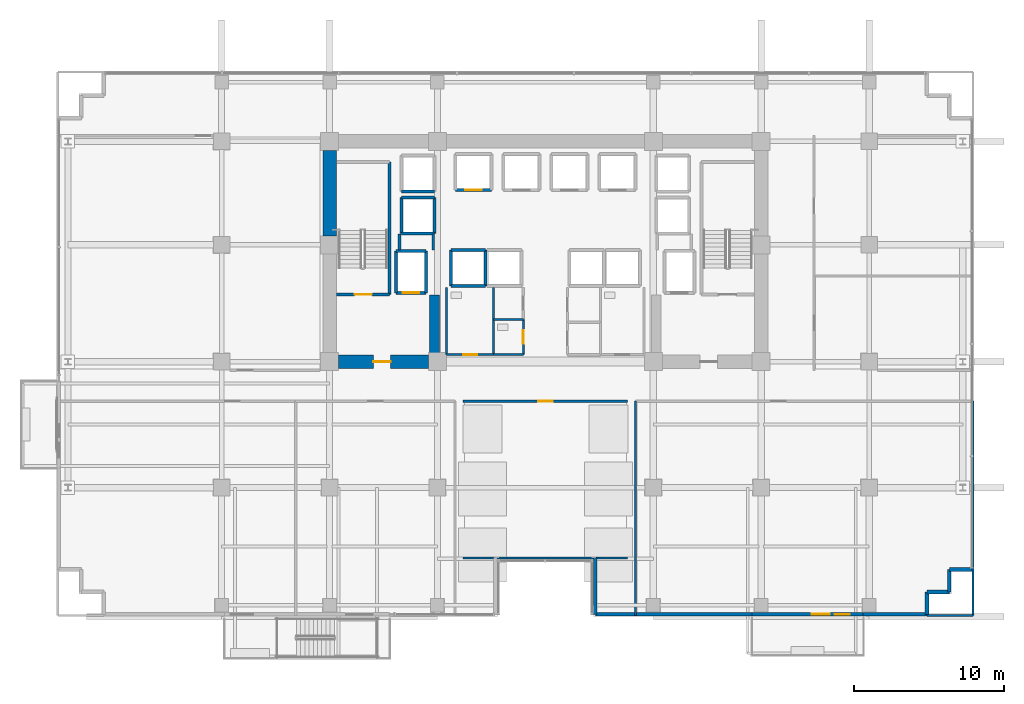
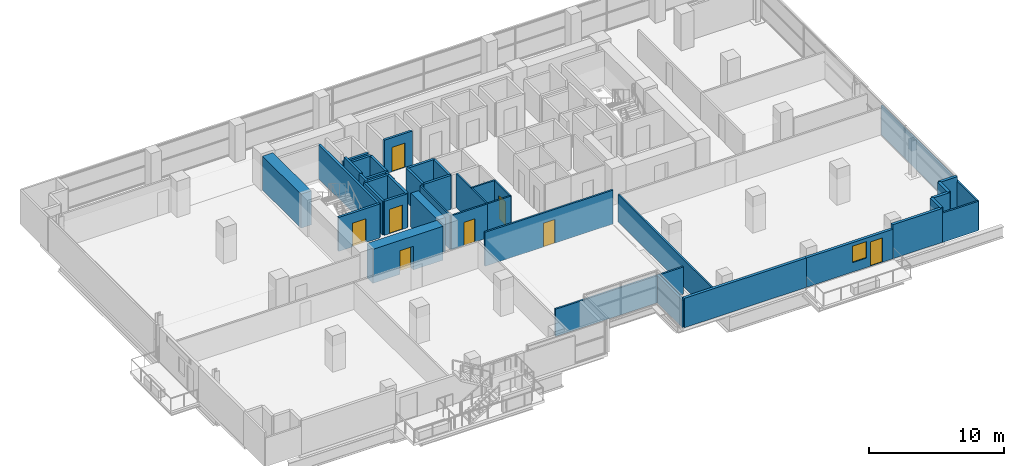
# One storey, part 25 of 32: 40 walls, 8 doors, 1 window, 9 openings.
"""IFC4 building model written with IfcOpenShell, lengths in metres."""

from ifc_helpers import new_model, si_unit, direction, frame, frame_2d, origin, place, context, subcontext, project, spatial, rectangle, extrude, source, transform, mapped, material, layer, layer_set, type_object, element, fill, save


model = new_model("IFC4")

# Units and contexts
model_context = context("Model", 3, precision=1e-05, world=origin(), true_north=direction((0.0, 1.0)))
body_context = subcontext(model_context, "Body", "Model", "MODEL_VIEW")
ifc_project = project(units=[si_unit("LENGTHUNIT", "METRE"), si_unit("AREAUNIT", "SQUARE_METRE"), si_unit("VOLUMEUNIT", "CUBIC_METRE"), si_unit("PLANEANGLEUNIT", "RADIAN"), si_unit("MASSUNIT", "GRAM", prefix="KILO")], contexts=[model_context])

# Site, building, storey
site_placement = place(None, origin())
site = spatial("IfcSite", under=ifc_project, at=site_placement, CompositionType="ELEMENT")
building_placement = place(site_placement, origin())
building = spatial("IfcBuilding", under=site, at=building_placement, Name="Zarnakvel Exchange Tower", CompositionType="ELEMENT")
storey_placement = place(building_placement, frame((0.0, 0.0, 27.39990234375)))
storey = spatial("IfcBuildingStorey", under=building, at=storey_placement, Name="L06", CompositionType="ELEMENT", Elevation=27.39990234375)

# Wall
ifc_material_1 = material(Name="Concrete C80/95", Category="concrete")
ifc_layer_1 = layer(ifc_material_1, 0.89990234375)
ifc_layer_set_1 = layer_set([ifc_layer_1], Name="Concrete C80/95")
wall_type_1 = type_object("IfcWallType", Name="CW-C1", PredefinedType="SHEAR", material=ifc_layer_set_1)
wall_1_placement = place(storey_placement, frame((-14.39990234375, 7.199951171875, 0.0), z_axis=(0.0, 0.0, 1.0), x_axis=(0.0, 1.0, 0.0)))
element("IfcWall", 1, at=wall_1_placement, inside=storey, type_object=wall_type_1, Name="L06 Rear Core Shear Wall W2 (CW-C1)", PredefinedType="SHEAR", context=body_context, shape_type="SweptSolid", body=[
    extrude(rectangle(XDim=5.699951171875, YDim=0.89990234375, at=frame_2d((2.85009765625, 0.0))), origin(), (0.0, 0.0, 1.0), 3.0751953125),
])

# Wall, opening, door
wall_2_placement = place(storey_placement, frame((-7.800048828125, -1.199951171875, 0.0), z_axis=(0.0, 0.0, 1.0), x_axis=(-1.0, 0.0, 0.0)))
wall_2 = element("IfcWall", 2, at=wall_2_placement, inside=storey, type_object=wall_type_1, Name="L06 Rear Core Shear Wall SW (CW-C1)", PredefinedType="SHEAR", context=body_context, shape_type="SweptSolid", body=[
    extrude(rectangle(XDim=6.0, YDim=0.89990234375, at=frame_2d((3.0, 0.0))), origin(), (0.0, 0.0, 1.0), 3.0751953125),
])
opening_1_placement = place(wall_2_placement, frame((2.52490234375, 0.0, 0.0)))
opening_1 = element("IfcOpeningElement", 3, at=opening_1_placement, cuts=wall_2, Name="Opening D-L06-03", PredefinedType="OPENING", context=body_context, shape_type="SweptSolid", body=[
    extrude(rectangle(XDim=1.14990234375, YDim=2.14990234375, at=frame_2d((0.574951171875, 1.074951171875))), frame((0.0, 0.4599609375, 0.0), z_axis=(0.0, -1.0, 0.0), x_axis=(1.0, 0.0, 0.0)), (0.0, 0.0, 1.0), 0.919921875),
])
ifc_material_2 = material(Name="Painted Galvanised Steel S355", Category="steel")
door_type_1 = type_object("IfcDoorType", Name="DT-04", OperationType="NOTDEFINED", PredefinedType="DOOR", material=ifc_material_2)
shared_shape_1 = source(origin(), body_context, "Body", "SweptSolid", [
    extrude(rectangle(XDim=1.14990234375, YDim=2.14990234375, at=frame_2d((0.574951171875, 1.074951171875))), frame((0.0, 0.02490234375, 0.0), z_axis=(0.0, -1.0, 0.0), x_axis=(1.0, 0.0, 0.0)), (0.0, 0.0, 1.0), 0.050048828125),
])
door_1_placement = place(opening_1_placement, origin())
door_1 = element("IfcDoor", 4, at=door_1_placement, inside=storey, type_object=door_type_1, Name="L06 Firefighting Lobby West Door D-L06-03", OperationType="SINGLE_SWING_RIGHT", OverallHeight=2.14990234375, OverallWidth=1.14990234375, PredefinedType="DOOR", context=body_context, shape_type="MappedRepresentation", body=[
    mapped(shared_shape_1, transform((0.0, 0.0, 0.0), x_axis=(1.0, 0.0, 0.0), y_axis=(0.0, 1.0, 0.0), z_axis=(0.0, 0.0, 1.0), scale=1.0)),
])
fill(opening_1, door_1)

# Wall
ifc_layer_2 = layer(ifc_material_1, 0.64990234375)
ifc_layer_set_2 = layer_set([ifc_layer_2], Name="Concrete C80/95")
wall_type_2 = type_object("IfcWallType", Name="CW-C2", PredefinedType="SHEAR", material=ifc_layer_set_2)
wall_3_placement = place(storey_placement, frame((-7.39990234375, -0.75, 0.0), z_axis=(0.0, 0.0, 1.0), x_axis=(0.0, 1.0, 0.0)))
element("IfcWall", 5, at=wall_3_placement, inside=storey, type_object=wall_type_2, Name="L06 Rear Core Shear Wall IW (CW-C2)", PredefinedType="SHEAR", context=body_context, shape_type="SweptSolid", body=[
    extrude(rectangle(XDim=4.0, YDim=0.64990234375, at=frame_2d((2.0, 0.0))), origin(), (0.0, 0.0, 1.0), 3.0751953125),
])

# Wall, openings, door, window
ifc_material_3 = material(Name="Precast concrete C40/50", Category="concrete")
ifc_layer_3 = layer(ifc_material_3, 0.239990234375)
ifc_layer_set_3 = layer_set([ifc_layer_3], Name="Precast concrete C40/50")
wall_type_3 = type_object("IfcWallType", Name="EW-02", PredefinedType="SOLIDWALL", material=ifc_layer_set_3)
wall_4_placement = place(storey_placement, frame((21.199951171875, -18.06005859375, 0.0), z_axis=(0.0, 0.0, 1.0), x_axis=(-1.0, 0.0, 0.0)))
wall_4 = element("IfcWall", 6, at=wall_4_placement, inside=storey, type_object=wall_type_3, Name="L06 Exterior Precast Spandrel Wall EW-BAL-L06-SE (EW-02)", PredefinedType="SOLIDWALL", context=body_context, shape_type="SweptSolid", body=[
    extrude(rectangle(XDim=7.39990234375, YDim=0.239990234375, at=frame_2d((3.699951171875, 0.0))), origin(), (0.0, 0.0, 1.0), 2.6650390625),
])
opening_2_placement = place(wall_4_placement, frame((0.887939453125, 0.0, 0.0)))
opening_2 = element("IfcOpeningElement", 7, at=opening_2_placement, cuts=wall_4, Name="Opening BD-L06-01", PredefinedType="OPENING", context=body_context, shape_type="SweptSolid", body=[
    extrude(rectangle(XDim=1.0, YDim=2.199951171875, at=frame_2d((0.5, 1.10009765625))), frame((0.0, 0.1298828125, 0.0), z_axis=(0.0, -1.0, 0.0), x_axis=(1.0, 0.0, 0.0)), (0.0, 0.0, 1.0), 0.260009765625),
])
opening_3_placement = place(wall_4_placement, frame((2.238037109375, 0.0, 0.85009765625)))
opening_3 = element("IfcOpeningElement", 8, at=opening_3_placement, cuts=wall_4, Name="Opening WN-04", PredefinedType="OPENING", context=body_context, shape_type="SweptSolid", body=[
    extrude(rectangle(XDim=1.199951171875, YDim=1.5, at=frame_2d((0.60009765625, 0.75))), frame((0.0, 0.1298828125, 0.0), z_axis=(0.0, -1.0, 0.0), x_axis=(1.0, 0.0, 0.0)), (0.0, 0.0, 1.0), 0.260009765625),
])
ifc_material_4 = material(Name="Architectural Bronze Anodised Aluminium", Category="aluminium")
door_type_2 = type_object("IfcDoorType", Name="DT-09", OperationType="NOTDEFINED", PredefinedType="DOOR", material=ifc_material_4)
shared_shape_2 = source(origin(), body_context, "Body", "SweptSolid", [
    extrude(rectangle(XDim=1.0, YDim=2.199951171875, at=frame_2d((0.5, 1.10009765625))), frame((0.0, 0.02490234375, 0.0), z_axis=(0.0, -1.0, 0.0), x_axis=(1.0, 0.0, 0.0)), (0.0, 0.0, 1.0), 0.050048828125),
])
door_2_placement = place(opening_2_placement, origin())
door_2 = element("IfcDoor", 9, at=door_2_placement, inside=storey, type_object=door_type_2, Name="L06 Planted Loggia Balcony Door BD-L06-01", OperationType="SINGLE_SWING_RIGHT", OverallHeight=2.199951171875, OverallWidth=1.0, PredefinedType="DOOR", context=body_context, shape_type="MappedRepresentation", body=[
    mapped(shared_shape_2, transform((0.0, 0.0, 0.0), x_axis=(1.0, 0.0, 0.0), y_axis=(0.0, 1.0, 0.0), z_axis=(0.0, 0.0, 1.0), scale=1.0)),
])
fill(opening_2, door_2)
ifc_material_5 = material(Name="Double Low-E Laminated Vision Glass", Category="glass")
window_type = type_object("IfcWindowType", Name="WN-04", PartitioningType="SINGLE_PANEL", PredefinedType="WINDOW", material=ifc_material_5)
shared_shape_3 = source(origin(), body_context, "Body", "SweptSolid", [
    extrude(rectangle(XDim=1.199951171875, YDim=1.5, at=frame_2d((0.60009765625, 0.75))), frame((0.0, 0.030029296875, 0.0), z_axis=(0.0, -1.0, 0.0), x_axis=(1.0, 0.0, 0.0)), (0.0, 0.0, 1.0), 0.06005859375),
])
window_placement = place(opening_3_placement, origin())
window = element("IfcWindow", 10, at=window_placement, inside=storey, type_object=window_type, Name="L06 Loggia Daylight Window (WN-04)", OverallHeight=1.5, OverallWidth=1.199951171875, PartitioningType="SINGLE_PANEL", PredefinedType="WINDOW", context=body_context, shape_type="MappedRepresentation", body=[
    mapped(shared_shape_3, transform((0.0, 0.0, 0.0), x_axis=(1.0, 0.0, 0.0), y_axis=(0.0, 1.0, 0.0), z_axis=(0.0, 0.0, 1.0), scale=1.0)),
])
fill(opening_3, window)

# Walls
for number, where, z_axis, x_axis, name in (
    (11, (26.9599609375, -15.06005859375, 0.0), (0.0, 0.0, 1.0), (1.0, 0.0, 0.0), "L06 Exterior Precast Spandrel Wall EWC-L06-11 (EW-02)"),
    (12, (26.9599609375, -16.56005859375, 0.0), (0.0, 0.0, 1.0), (0.0, 1.0, 0.0), "L06 Exterior Precast Spandrel Wall EWC-L06-12 (EW-02)"),
    (13, (25.4599609375, -16.56005859375, 0.0), (0.0, 0.0, 1.0), (1.0, 0.0, 0.0), "L06 Exterior Precast Spandrel Wall EWC-L06-13 (EW-02)"),
    (14, (25.4599609375, -18.06005859375, 0.0), (0.0, 0.0, 1.0), (0.0, 1.0, 0.0), "L06 Exterior Precast Spandrel Wall EWC-L06-14 (EW-02)"),
):
    element("IfcWall", number, at=place(storey_placement, frame(where, z_axis=z_axis, x_axis=x_axis)), inside=storey, type_object=wall_type_3, Name=name, PredefinedType="SOLIDWALL", context=body_context, shape_type="SweptSolid", body=[
        extrude(rectangle(XDim=1.5, YDim=0.239990234375, at=frame_2d((0.75, 0.0))), origin(), (0.0, 0.0, 1.0), 3.0751953125),
    ])
wall_5_placement = place(storey_placement, frame((21.199951171875, -18.06005859375, 0.0), z_axis=(0.0, 0.0, 1.0), x_axis=(1.0, 0.0, 0.0)))
element("IfcWall", 15, at=wall_5_placement, inside=storey, type_object=wall_type_3, Name="L06 Exterior Precast Spandrel Wall EWC-L06-15 (EW-02)", PredefinedType="SOLIDWALL", context=body_context, shape_type="SweptSolid", body=[
    extrude(rectangle(XDim=4.260009765625, YDim=0.239990234375, at=frame_2d((2.1298828125, 0.0))), origin(), (0.0, 0.0, 1.0), 3.0751953125),
])
wall_6_placement = place(storey_placement, frame((3.340087890625, -18.06005859375, 0.0), z_axis=(0.0, 0.0, 1.0), x_axis=(1.0, 0.0, 0.0)))
element("IfcWall", 16, at=wall_6_placement, inside=storey, type_object=wall_type_3, Name="L06 Exterior Precast Spandrel Wall EWC-L06-16 (EW-02)", PredefinedType="SOLIDWALL", context=body_context, shape_type="SweptSolid", body=[
    extrude(rectangle(XDim=10.4599609375, YDim=0.239990234375, at=frame_2d((5.22998046875, 0.0))), origin(), (0.0, 0.0, 1.0), 2.6650390625),
])
wall_7_placement = place(storey_placement, frame((3.340087890625, -14.260009765625, 0.0), z_axis=(0.0, 0.0, 1.0), x_axis=(0.0, -1.0, 0.0)))
element("IfcWall", 17, at=wall_7_placement, inside=storey, type_object=wall_type_3, Name="L06 Exterior Precast Spandrel Wall EWC-L06-17 (EW-02)", PredefinedType="SOLIDWALL", context=body_context, shape_type="SweptSolid", body=[
    extrude(rectangle(XDim=3.800048828125, YDim=0.239990234375, at=frame_2d((1.89990234375, 0.0))), origin(), (0.0, 0.0, 1.0), 2.465087890625),
])
ifc_material_6 = material(Name="Fire-Rated Gypsum Stud Partition", Category="gypsum")
ifc_layer_4 = layer(ifc_material_6, 0.14990234375)
ifc_layer_set_4 = layer_set([ifc_layer_4], Name="Fire-Rated Gypsum Stud Partition")
wall_type_4 = type_object("IfcWallType", Name="PT-01", PredefinedType="PARTITIONING", material=ifc_layer_set_4)
wall_8_placement = place(storey_placement, frame((28.530029296875, -18.1298828125, 0.0), z_axis=(0.0, 0.0, 1.0), x_axis=(-1.0, 0.0, 0.0)))
element("IfcWall", 18, at=wall_8_placement, inside=storey, type_object=wall_type_4, Name="L06 Partition Wall PWALL-L06-034 (PT-01)", PredefinedType="PARTITIONING", context=body_context, shape_type="SweptSolid", body=[
    extrude(rectangle(XDim=3.070068359375, YDim=0.14990234375, at=frame_2d((1.53515625, 0.0))), origin(), (0.0, 0.0, 1.0), 2.6650390625),
])
wall_9_placement = place(storey_placement, frame((6.02001953125, -18.1298828125, 0.0), z_axis=(0.0, 0.0, 1.0), x_axis=(0.0, 1.0, 0.0)))
element("IfcWall", 19, at=wall_9_placement, inside=storey, type_object=wall_type_4, Name="L06 Partition Wall PWALL-L06-036 (PT-01)", PredefinedType="PARTITIONING", context=body_context, shape_type="SweptSolid", body=[
    extrude(rectangle(XDim=14.2998046875, YDim=0.14990234375, at=frame_2d((7.14990234375, 0.0))), origin(), (0.0, 0.0, 1.0), 2.465087890625),
])
wall_10_placement = place(storey_placement, frame((28.530029296875, -3.830078125, 0.0), z_axis=(0.0, 0.0, 1.0), x_axis=(0.0, -1.0, 0.0)))
element("IfcWall", 20, at=wall_10_placement, inside=storey, type_object=wall_type_4, Name="L06 Partition Wall PWALL-L06-037 (PT-01)", PredefinedType="PARTITIONING", context=body_context, shape_type="SweptSolid", body=[
    extrude(rectangle(XDim=14.2998046875, YDim=0.14990234375, at=frame_2d((7.14990234375, 0.0))), origin(), (0.0, 0.0, 1.0), 2.6650390625),
])
wall_11_placement = place(storey_placement, frame((5.47998046875, -14.300048828125, 0.0), z_axis=(0.0, 0.0, 1.0), x_axis=(-1.0, 0.0, 0.0)))
element("IfcWall", 21, at=wall_11_placement, inside=storey, type_object=wall_type_4, Name="L06 Partition Wall PWALL-L06-038 (PT-01)", PredefinedType="PARTITIONING", context=body_context, shape_type="SweptSolid", body=[
    extrude(rectangle(XDim=10.9599609375, YDim=0.14990234375, at=frame_2d((5.47998046875, 0.0))), origin(), (0.0, 0.0, 1.0), 2.465087890625),
])

# Wall, opening, door
wall_12_placement = place(storey_placement, frame((-5.47998046875, -3.830078125, 0.0), z_axis=(0.0, 0.0, 1.0), x_axis=(1.0, 0.0, 0.0)))
wall_12 = element("IfcWall", 22, at=wall_12_placement, inside=storey, type_object=wall_type_4, Name="L06 Partition Wall PWALL-L06-039 (PT-01)", PredefinedType="PARTITIONING", context=body_context, shape_type="SweptSolid", body=[
    extrude(rectangle(XDim=10.9599609375, YDim=0.14990234375, at=frame_2d((5.47998046875, 0.0))), origin(), (0.0, 0.0, 1.0), 3.0751953125),
])
opening_4_placement = place(wall_12_placement, frame((4.989990234375, 0.0, 0.0)))
opening_4 = element("IfcOpeningElement", 23, at=opening_4_placement, cuts=wall_12, Name="Opening D-L06-14", PredefinedType="OPENING", context=body_context, shape_type="SweptSolid", body=[
    extrude(rectangle(XDim=0.97998046875, YDim=2.14990234375, at=frame_2d((0.489990234375, 1.074951171875))), frame((0.0, 0.0849609375, 0.0), z_axis=(0.0, -1.0, 0.0), x_axis=(1.0, 0.0, 0.0)), (0.0, 0.0, 1.0), 0.169921875),
])
ifc_material_7 = material(Name="Timber Acoustic Veneer", Category="wood")
door_type_3 = type_object("IfcDoorType", Name="DT-05", OperationType="NOTDEFINED", PredefinedType="DOOR", material=ifc_material_7)
shared_shape_4 = source(origin(), body_context, "Body", "SweptSolid", [
    extrude(rectangle(XDim=0.97998046875, YDim=2.14990234375, at=frame_2d((0.489990234375, 1.074951171875))), frame((0.0, 0.02490234375, 0.0), z_axis=(0.0, -1.0, 0.0), x_axis=(1.0, 0.0, 0.0)), (0.0, 0.0, 1.0), 0.050048828125),
])
door_3_placement = place(opening_4_placement, origin())
door_3 = element("IfcDoor", 24, at=door_3_placement, inside=storey, type_object=door_type_3, Name="L06 Members Lounge Door D-L06-14", OperationType="SINGLE_SWING_LEFT", OverallHeight=2.14990234375, OverallWidth=0.97998046875, PredefinedType="DOOR", context=body_context, shape_type="MappedRepresentation", body=[
    mapped(shared_shape_4, transform((0.0, 0.0, 0.0), x_axis=(1.0, 0.0, 0.0), y_axis=(0.0, 1.0, 0.0), z_axis=(0.0, 0.0, 1.0), scale=1.0)),
])
fill(opening_4, door_3)

# Walls
ifc_layer_5 = layer(ifc_material_6, 0.179931640625)
ifc_layer_set_5 = layer_set([ifc_layer_5], Name="Fire-Rated Gypsum Stud Partition")
wall_type_5 = type_object("IfcWallType", Name="PT-02", PredefinedType="PARTITIONING", material=ifc_layer_set_5)
wall_13_placement = place(storey_placement, frame((-9.72998046875, 6.239990234375, 0.0), z_axis=(0.0, 0.0, 1.0), x_axis=(0.0, 1.0, 0.0)))
element("IfcWall", 25, at=wall_13_placement, inside=storey, type_object=wall_type_5, Name="L06 Partition Wall PWALL-L06-007 (PT-02)", PredefinedType="PARTITIONING", context=body_context, shape_type="SweptSolid", body=[
    extrude(rectangle(XDim=1.090087890625, YDim=0.179931640625, at=frame_2d((0.544921875, 0.0))), origin(), (0.0, 0.0, 1.0), 3.0751953125),
])
wall_14_placement = place(storey_placement, frame((-7.469970703125, 7.330078125, 0.0), z_axis=(0.0, 0.0, 1.0), x_axis=(0.0, -1.0, 0.0)))
element("IfcWall", 26, at=wall_14_placement, inside=storey, type_object=wall_type_5, Name="L06 Partition Wall PWALL-L06-008 (PT-02)", PredefinedType="PARTITIONING", context=body_context, shape_type="SweptSolid", body=[
    extrude(rectangle(XDim=1.090087890625, YDim=0.179931640625, at=frame_2d((0.544921875, 0.0))), origin(), (0.0, 0.0, 1.0), 2.465087890625),
])

# Wall, opening, door
ifc_material_8 = material(Name="Moisture-Resistant Tile-Faced Partition", Category="gypsum")
ifc_layer_6 = layer(ifc_material_8, 0.135009765625)
ifc_layer_set_6 = layer_set([ifc_layer_6], Name="Moisture-Resistant Tile-Faced Partition")
wall_type_6 = type_object("IfcWallType", Name="PT-03", PredefinedType="PARTITIONING", material=ifc_layer_set_6)
wall_15_placement = place(storey_placement, frame((-3.469970703125, -0.72998046875, 0.0), z_axis=(0.0, 0.0, 1.0), x_axis=(-1.0, 0.0, 0.0)))
wall_15 = element("IfcWall", 27, at=wall_15_placement, inside=storey, type_object=wall_type_6, Name="L06 Partition Wall PWALL-L06-011 (PT-03)", PredefinedType="PARTITIONING", context=body_context, shape_type="SweptSolid", body=[
    extrude(rectangle(XDim=3.110107421875, YDim=0.135009765625, at=frame_2d((1.55517578125, 0.0))), origin(), (0.0, 0.0, 1.0), 3.0751953125),
])
opening_5_placement = place(wall_15_placement, frame((1.090087890625, 0.0, 0.0)))
opening_5 = element("IfcOpeningElement", 28, at=opening_5_placement, cuts=wall_15, Name="Opening D-L06-05", PredefinedType="OPENING", context=body_context, shape_type="SweptSolid", body=[
    extrude(rectangle(XDim=0.919921875, YDim=2.10009765625, at=frame_2d((0.4599609375, 1.050048828125))), frame((0.0, 0.077392578125, 0.0), z_axis=(0.0, -1.0, 0.0), x_axis=(1.0, 0.0, 0.0)), (0.0, 0.0, 1.0), 0.155029296875),
])
ifc_material_9 = material(Name="Moisture-Resistant Laminate Timber", Category="wood")
door_type_4 = type_object("IfcDoorType", Name="DT-07", OperationType="NOTDEFINED", PredefinedType="DOOR", material=ifc_material_9)
shared_shape_5 = source(origin(), body_context, "Body", "SweptSolid", [
    extrude(rectangle(XDim=0.919921875, YDim=2.10009765625, at=frame_2d((0.4599609375, 1.050048828125))), frame((0.0, 0.02490234375, 0.0), z_axis=(0.0, -1.0, 0.0), x_axis=(1.0, 0.0, 0.0)), (0.0, 0.0, 1.0), 0.050048828125),
])
door_4_placement = place(opening_5_placement, origin())
door_4 = element("IfcDoor", 29, at=door_4_placement, inside=storey, type_object=door_type_4, Name="L06 Male Toilet Door D-L06-05", OperationType="SINGLE_SWING_RIGHT", OverallHeight=2.10009765625, OverallWidth=0.919921875, PredefinedType="DOOR", context=body_context, shape_type="MappedRepresentation", body=[
    mapped(shared_shape_5, transform((0.0, 0.0, 0.0), x_axis=(1.0, 0.0, 0.0), y_axis=(0.0, 1.0, 0.0), z_axis=(0.0, 0.0, 1.0), scale=1.0)),
])
fill(opening_5, door_4)

# Walls
for number, where, z_axis, x_axis, name in (
    (30, (-6.580078125, -0.72998046875, 0.0), (0.0, 0.0, 1.0), (0.0, 1.0, 0.0), "L06 Partition Wall PWALL-L06-012 (PT-03)"),
    (31, (-3.469970703125, 3.760009765625, 0.0), (0.0, 0.0, 1.0), (0.0, -1.0, 0.0), "L06 Partition Wall PWALL-L06-013 (PT-03)"),
):
    element("IfcWall", number, at=place(storey_placement, frame(where, z_axis=z_axis, x_axis=x_axis)), inside=storey, type_object=wall_type_6, Name=name, PredefinedType="PARTITIONING", context=body_context, shape_type="SweptSolid", body=[
        extrude(rectangle(XDim=4.489990234375, YDim=0.135009765625, at=frame_2d((2.2451171875, 0.0))), origin(), (0.0, 0.0, 1.0), 3.0751953125),
    ])
for number, where, z_axis, x_axis, name in (
    (32, (-1.469970703125, -0.72998046875, 0.0), (0.0, 0.0, 1.0), (-1.0, 0.0, 0.0), "L06 Partition Wall PWALL-L06-014 (PT-03)"),
    (33, (-3.469970703125, 1.6298828125, 0.0), (0.0, 0.0, 1.0), (1.0, 0.0, 0.0), "L06 Partition Wall PWALL-L06-015 (PT-03)"),
):
    element("IfcWall", number, at=place(storey_placement, frame(where, z_axis=z_axis, x_axis=x_axis)), inside=storey, type_object=wall_type_6, Name=name, PredefinedType="PARTITIONING", context=body_context, shape_type="SweptSolid", body=[
        extrude(rectangle(XDim=2.0, YDim=0.135009765625, at=frame_2d((1.0, 0.0))), origin(), (0.0, 0.0, 1.0), 3.0751953125),
    ])

# Wall, opening, door
wall_16_placement = place(storey_placement, frame((-1.469970703125, 1.6298828125, 0.0), z_axis=(0.0, 0.0, 1.0), x_axis=(0.0, -1.0, 0.0)))
wall_16 = element("IfcWall", 34, at=wall_16_placement, inside=storey, type_object=wall_type_6, Name="L06 Partition Wall PWALL-L06-016 (PT-03)", PredefinedType="PARTITIONING", context=body_context, shape_type="SweptSolid", body=[
    extrude(rectangle(XDim=2.35986328125, YDim=0.135009765625, at=frame_2d((1.179931640625, 0.0))), origin(), (0.0, 0.0, 1.0), 3.0751953125),
])
opening_6_placement = place(wall_16_placement, frame((0.719970703125, 0.0, 0.0)))
opening_6 = element("IfcOpeningElement", 35, at=opening_6_placement, cuts=wall_16, Name="Opening D-L06-06", PredefinedType="OPENING", context=body_context, shape_type="SweptSolid", body=[
    extrude(rectangle(XDim=0.919921875, YDim=2.10009765625, at=frame_2d((0.4599609375, 1.050048828125))), frame((0.0, 0.077392578125, 0.0), z_axis=(0.0, -1.0, 0.0), x_axis=(1.0, 0.0, 0.0)), (0.0, 0.0, 1.0), 0.155029296875),
])
door_5_placement = place(opening_6_placement, origin())
door_5 = element("IfcDoor", 36, at=door_5_placement, inside=storey, type_object=door_type_4, Name="L06 Accessible Toilet Door D-L06-06", OperationType="SINGLE_SWING_LEFT", OverallHeight=2.10009765625, OverallWidth=0.919921875, PredefinedType="DOOR", context=body_context, shape_type="MappedRepresentation", body=[
    mapped(shared_shape_5, transform((0.0, 0.0, 0.0), x_axis=(1.0, 0.0, 0.0), y_axis=(0.0, 1.0, 0.0), z_axis=(0.0, 0.0, 1.0), scale=1.0)),
])
fill(opening_6, door_5)

ifc_material_10 = material(Name="Concrete C40/50", Category="concrete")
ifc_layer_7 = layer(ifc_material_10, 0.199951171875)
ifc_layer_set_7 = layer_set([ifc_layer_7], Name="Concrete C40/50")
wall_type_7 = type_object("IfcWallType", Name="SW-01", PredefinedType="SOLIDWALL", material=ifc_layer_set_7)
wall_17_placement = place(storey_placement, frame((-7.949951171875, 3.39990234375, 0.0), z_axis=(0.0, 0.0, 1.0), x_axis=(-1.0, 0.0, 0.0)))
wall_17 = element("IfcWall", 37, at=wall_17_placement, inside=storey, type_object=wall_type_7, Name="L06 FL-01 Hoistway Wall South", PredefinedType="SOLIDWALL", context=body_context, shape_type="SweptSolid", body=[
    extrude(rectangle(XDim=2.0, YDim=0.199951171875, at=frame_2d((1.0, 0.0))), origin(), (0.0, 0.0, 1.0), 3.0751953125),
])
opening_7_placement = place(wall_17_placement, frame((0.449951171875, 0.0, 0.0)))
opening_7 = element("IfcOpeningElement", 38, at=opening_7_placement, cuts=wall_17, Name="Opening LD-FL-01-L06", PredefinedType="OPENING", context=body_context, shape_type="SweptSolid", body=[
    extrude(rectangle(XDim=1.10009765625, YDim=2.199951171875, at=frame_2d((0.550048828125, 1.10009765625))), frame((0.0, 0.10986328125, 0.0), z_axis=(0.0, -1.0, 0.0), x_axis=(1.0, 0.0, 0.0)), (0.0, 0.0, 1.0), 0.219970703125),
])
ifc_material_11 = material(Name="Brushed Stainless Steel", Category="steel")
door_type_5 = type_object("IfcDoorType", Name="LDT-01", OperationType="NOTDEFINED", PredefinedType="DOOR", material=ifc_material_11)
shared_shape_6 = source(origin(), body_context, "Body", "SweptSolid", [
    extrude(rectangle(XDim=1.10009765625, YDim=2.199951171875, at=frame_2d((0.550048828125, 1.10009765625))), frame((0.0, 0.02490234375, 0.0), z_axis=(0.0, -1.0, 0.0), x_axis=(1.0, 0.0, 0.0)), (0.0, 0.0, 1.0), 0.050048828125),
])
door_6_placement = place(opening_7_placement, origin())
door_6 = element("IfcDoor", 39, at=door_6_placement, inside=storey, type_object=door_type_5, Name="L06 FL-01 Lift Landing Door LD-FL-01-L06", OperationType="DOUBLE_DOOR_SLIDING", OverallHeight=2.199951171875, OverallWidth=1.10009765625, PredefinedType="DOOR", context=body_context, shape_type="MappedRepresentation", body=[
    mapped(shared_shape_6, transform((0.0, 0.0, 0.0), x_axis=(1.0, 0.0, 0.0), y_axis=(0.0, 1.0, 0.0), z_axis=(0.0, 0.0, 1.0), scale=1.0)),
])
fill(opening_7, door_6)

# Walls
wall_18_placement = place(storey_placement, frame((-9.949951171875, 6.199951171875, 0.0), z_axis=(0.0, 0.0, 1.0), x_axis=(1.0, 0.0, 0.0)))
element("IfcWall", 40, at=wall_18_placement, inside=storey, type_object=wall_type_7, Name="L06 FL-01 Hoistway Wall North", PredefinedType="SOLIDWALL", context=body_context, shape_type="SweptSolid", body=[
    extrude(rectangle(XDim=2.0, YDim=0.199951171875, at=frame_2d((1.0, 0.0))), origin(), (0.0, 0.0, 1.0), 3.0751953125),
])
for number, where, z_axis, x_axis, name in (
    (41, (-9.949951171875, 3.39990234375, 0.0), (0.0, 0.0, 1.0), (0.0, 1.0, 0.0), "L06 FL-01 Hoistway Wall West"),
    (42, (-7.949951171875, 6.199951171875, 0.0), (0.0, 0.0, 1.0), (0.0, -1.0, 0.0), "L06 FL-01 Hoistway Wall East"),
):
    element("IfcWall", number, at=place(storey_placement, frame(where, z_axis=z_axis, x_axis=x_axis)), inside=storey, type_object=wall_type_7, Name=name, PredefinedType="SOLIDWALL", context=body_context, shape_type="SweptSolid", body=[
        extrude(rectangle(XDim=2.800048828125, YDim=0.199951171875, at=frame_2d((1.39990234375, 0.0))), origin(), (0.0, 0.0, 1.0), 3.0751953125),
    ])

# Wall, opening, door
wall_19_placement = place(storey_placement, frame((-3.60009765625, 10.25, 0.0), z_axis=(0.0, 0.0, 1.0), x_axis=(-1.0, 0.0, 0.0)))
wall_19 = element("IfcWall", 43, at=wall_19_placement, inside=storey, type_object=wall_type_7, Name="L06 PL-01 Hoistway Wall South", PredefinedType="SOLIDWALL", context=body_context, shape_type="SweptSolid", body=[
    extrude(rectangle(XDim=2.39990234375, YDim=0.199951171875, at=frame_2d((1.199951171875, 0.0))), origin(), (0.0, 0.0, 1.0), 3.0751953125),
])
opening_8_placement = place(wall_19_placement, frame((0.64990234375, 0.0, 0.0)))
opening_8 = element("IfcOpeningElement", 44, at=opening_8_placement, cuts=wall_19, Name="Opening LD-PL-01-L06", PredefinedType="OPENING", context=body_context, shape_type="SweptSolid", body=[
    extrude(rectangle(XDim=1.10009765625, YDim=2.199951171875, at=frame_2d((0.550048828125, 1.10009765625))), frame((0.0, 0.10986328125, 0.0), z_axis=(0.0, -1.0, 0.0), x_axis=(1.0, 0.0, 0.0)), (0.0, 0.0, 1.0), 0.219970703125),
])
door_type_6 = type_object("IfcDoorType", Name="LDT-02", OperationType="NOTDEFINED", PredefinedType="DOOR", material=ifc_material_4)
door_7_placement = place(opening_8_placement, origin())
door_7 = element("IfcDoor", 45, at=door_7_placement, inside=storey, type_object=door_type_6, Name="L06 PL-01 Lift Landing Door LD-PL-01-L06", OperationType="DOUBLE_DOOR_SLIDING", OverallHeight=2.199951171875, OverallWidth=1.10009765625, PredefinedType="DOOR", context=body_context, shape_type="MappedRepresentation", body=[
    mapped(shared_shape_6, transform((0.0, 0.0, 0.0), x_axis=(1.0, 0.0, 0.0), y_axis=(0.0, 1.0, 0.0), z_axis=(0.0, 0.0, 1.0), scale=1.0)),
])
fill(opening_8, door_7)

# Walls
for number, where, z_axis, x_axis, name in (
    (46, (-4.0, 3.85009765625, 0.0), (0.0, 0.0, 1.0), (-1.0, 0.0, 0.0), "L06 PL-05 Hoistway Wall South"),
    (47, (-6.300048828125, 6.25, 0.0), (0.0, 0.0, 1.0), (1.0, 0.0, 0.0), "L06 PL-05 Hoistway Wall North"),
):
    element("IfcWall", number, at=place(storey_placement, frame(where, z_axis=z_axis, x_axis=x_axis)), inside=storey, type_object=wall_type_7, Name=name, PredefinedType="SOLIDWALL", context=body_context, shape_type="SweptSolid", body=[
        extrude(rectangle(XDim=2.300048828125, YDim=0.199951171875, at=frame_2d((1.14990234375, 0.0))), origin(), (0.0, 0.0, 1.0), 3.0751953125),
    ])
for number, where, z_axis, x_axis, name in (
    (48, (-6.300048828125, 3.85009765625, 0.0), (0.0, 0.0, 1.0), (0.0, 1.0, 0.0), "L06 PL-05 Hoistway Wall West"),
    (49, (-4.0, 6.25, 0.0), (0.0, 0.0, 1.0), (0.0, -1.0, 0.0), "L06 PL-05 Hoistway Wall East"),
):
    element("IfcWall", number, at=place(storey_placement, frame(where, z_axis=z_axis, x_axis=x_axis)), inside=storey, type_object=wall_type_7, Name=name, PredefinedType="SOLIDWALL", context=body_context, shape_type="SweptSolid", body=[
        extrude(rectangle(XDim=2.39990234375, YDim=0.199951171875, at=frame_2d((1.199951171875, 0.0))), origin(), (0.0, 0.0, 1.0), 3.0751953125),
    ])
for number, where, z_axis, x_axis, name in (
    (50, (-7.39990234375, 7.35009765625, 0.0), (0.0, 0.0, 1.0), (-1.0, 0.0, 0.0), "L06 PL-09 Hoistway Wall South"),
    (51, (-9.60009765625, 9.75, 0.0), (0.0, 0.0, 1.0), (1.0, 0.0, 0.0), "L06 PL-09 Hoistway Wall North"),
):
    element("IfcWall", number, at=place(storey_placement, frame(where, z_axis=z_axis, x_axis=x_axis)), inside=storey, type_object=wall_type_7, Name=name, PredefinedType="SOLIDWALL", context=body_context, shape_type="SweptSolid", body=[
        extrude(rectangle(XDim=2.2001953125, YDim=0.199951171875, at=frame_2d((1.10009765625, 0.0))), origin(), (0.0, 0.0, 1.0), 2.465087890625),
    ])
wall_20_placement = place(storey_placement, frame((-9.60009765625, 7.35009765625, 0.0), z_axis=(0.0, 0.0, 1.0), x_axis=(0.0, 1.0, 0.0)))
element("IfcWall", 52, at=wall_20_placement, inside=storey, type_object=wall_type_7, Name="L06 PL-09 Hoistway Wall West", PredefinedType="SOLIDWALL", context=body_context, shape_type="SweptSolid", body=[
    extrude(rectangle(XDim=2.39990234375, YDim=0.199951171875, at=frame_2d((1.199951171875, 0.0))), origin(), (0.0, 0.0, 1.0), 3.0751953125),
])
wall_21_placement = place(storey_placement, frame((-7.39990234375, 9.75, 0.0), z_axis=(0.0, 0.0, 1.0), x_axis=(0.0, -1.0, 0.0)))
element("IfcWall", 53, at=wall_21_placement, inside=storey, type_object=wall_type_7, Name="L06 PL-09 Hoistway Wall East", PredefinedType="SOLIDWALL", context=body_context, shape_type="SweptSolid", body=[
    extrude(rectangle(XDim=2.39990234375, YDim=0.199951171875, at=frame_2d((1.199951171875, 0.0))), origin(), (0.0, 0.0, 1.0), 2.465087890625),
])
wall_22_placement = place(storey_placement, frame((-7.39990234375, 10.14990234375, 0.0), z_axis=(0.0, 0.0, 1.0), x_axis=(-1.0, 0.0, 0.0)))
element("IfcWall", 54, at=wall_22_placement, inside=storey, type_object=wall_type_7, Name="L06 PL-10 Hoistway Wall South", PredefinedType="SOLIDWALL", context=body_context, shape_type="SweptSolid", body=[
    extrude(rectangle(XDim=2.2001953125, YDim=0.199951171875, at=frame_2d((1.10009765625, 0.0))), origin(), (0.0, 0.0, 1.0), 2.465087890625),
])

# Wall, opening, door
ifc_layer_8 = layer(ifc_material_10, 0.199951171875)
ifc_layer_set_8 = layer_set([ifc_layer_8], Name="Concrete C40/50")
wall_type_8 = type_object("IfcWallType", Name="SW-02", PredefinedType="SOLIDWALL", material=ifc_layer_set_8)
wall_23_placement = place(storey_placement, frame((-10.409912109375, 3.2900390625, 0.0), z_axis=(0.0, 0.0, 1.0), x_axis=(-1.0, 0.0, 0.0)))
wall_23 = element("IfcWall", 55, at=wall_23_placement, inside=storey, type_object=wall_type_8, Name="L06 Stairwell Core Wall PWALL-L06-001 (SW-02)", PredefinedType="SOLIDWALL", context=body_context, shape_type="SweptSolid", body=[
    extrude(rectangle(XDim=3.52001953125, YDim=0.199951171875, at=frame_2d((1.760009765625, 0.0))), origin(), (0.0, 0.0, 1.0), 3.0751953125),
])
opening_9_placement = place(wall_23_placement, frame((1.1650390625, 0.0, 0.0)))
opening_9 = element("IfcOpeningElement", 56, at=opening_9_placement, cuts=wall_23, Name="Opening D-L06-01", PredefinedType="OPENING", context=body_context, shape_type="SweptSolid", body=[
    extrude(rectangle(XDim=1.14990234375, YDim=2.14990234375, at=frame_2d((0.574951171875, 1.074951171875))), frame((0.0, 0.10986328125, 0.0), z_axis=(0.0, -1.0, 0.0), x_axis=(1.0, 0.0, 0.0)), (0.0, 0.0, 1.0), 0.219970703125),
])
door_8_placement = place(opening_9_placement, origin())
door_8 = element("IfcDoor", 57, at=door_8_placement, inside=storey, type_object=door_type_1, Name="L06 Stairwell ST-01 Door D-L06-01", OperationType="SINGLE_SWING_RIGHT", OverallHeight=2.14990234375, OverallWidth=1.14990234375, PredefinedType="DOOR", context=body_context, shape_type="MappedRepresentation", body=[
    mapped(shared_shape_1, transform((0.0, 0.0, 0.0), x_axis=(1.0, 0.0, 0.0), y_axis=(0.0, 1.0, 0.0), z_axis=(0.0, 0.0, 1.0), scale=1.0)),
])
fill(opening_9, door_8)

# Wall
wall_24_placement = place(storey_placement, frame((-10.409912109375, 12.1298828125, 0.0), z_axis=(0.0, 0.0, 1.0), x_axis=(0.0, -1.0, 0.0)))
element("IfcWall", 58, at=wall_24_placement, inside=storey, type_object=wall_type_8, Name="L06 Stairwell Core Wall PWALL-L06-003 (SW-02)", PredefinedType="SOLIDWALL", context=body_context, shape_type="SweptSolid", body=[
    extrude(rectangle(XDim=8.83984375, YDim=0.199951171875, at=frame_2d((4.419921875, 0.0))), origin(), (0.0, 0.0, 1.0), 3.0751953125),
])

save(model, "model.ifc")
